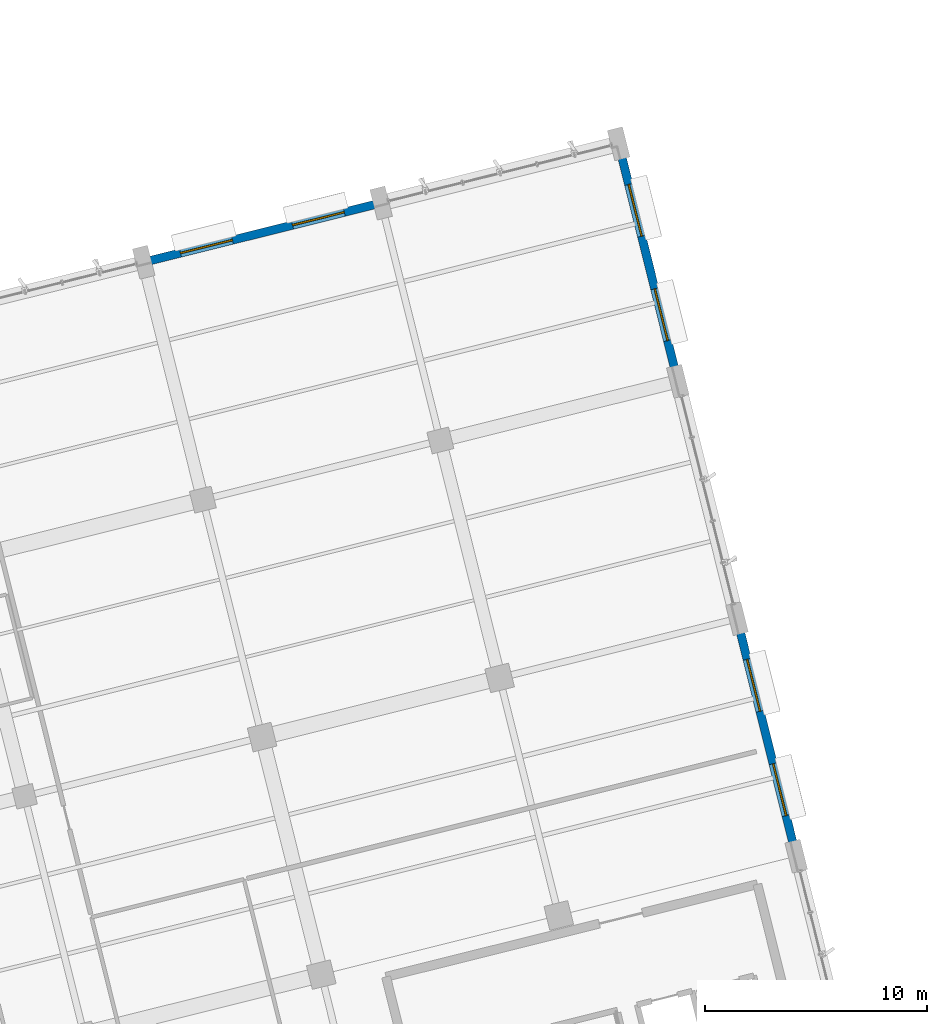
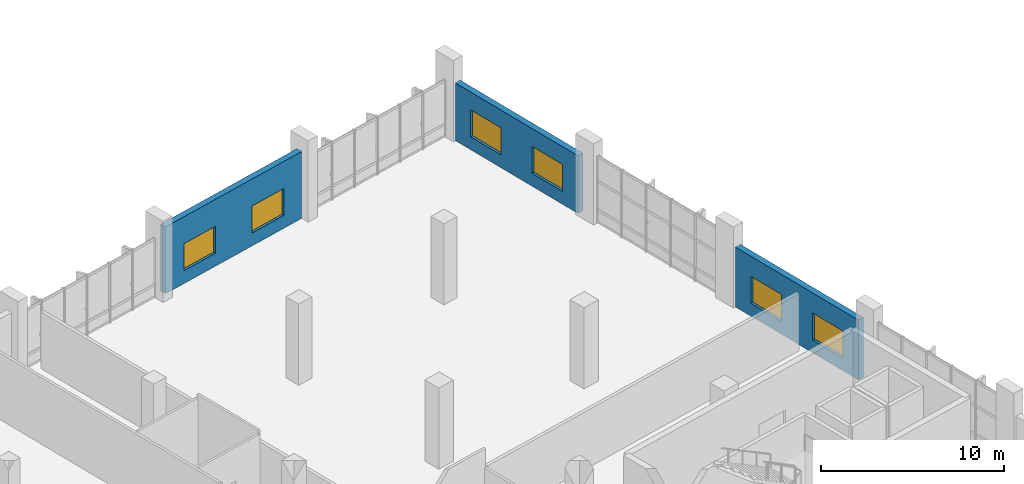
# One storey, part 148 of 176: 6 windows, 3 walls, 6 openings.
"""IFC4 building model written with IfcOpenShell, lengths in metres."""

import ifcopenshell
import ifcopenshell.guid

model = None  # the IFC model being written
_history = None  # IfcOwnerHistory: only IFC2X3 demands one
_inside = {}  # id of a spatial element -> (the spatial element, [elements in it])
_under = {}  # id of a project, library or spatial element -> (it, [spatial elements below it])
_declared = {}  # id of a project -> (the project, [libraries it declares])
_typed = {}  # id of a type object -> (the type object, [elements of that type])
_made_of = {}  # id of a material, layer set ... -> (it, [elements and type objects made of it])


def new_model(schema):
    """Start an empty IFC model of exactly this schema.

    Asked for "IFC4X3", IfcOpenShell would pick the latest addendum, in which some entities
    have other attributes; the version numbers below select the first issue.
    IFC2X3 requires an IfcOwnerHistory on every rooted entity: one is made here for all.
    """
    global model, _history
    if schema == "IFC4X3":
        model = ifcopenshell.file(schema_version=(4, 3, 0, 0))
    else:
        model = ifcopenshell.file(schema=schema)
    _inside.clear()
    _under.clear()
    _declared.clear()
    _typed.clear()
    _made_of.clear()
    _history = None
    if model.schema == "IFC2X3":
        org = make("IfcOrganization", Name="unknown")
        user = make(
            "IfcPersonAndOrganization",
            ThePerson=make("IfcPerson", FamilyName="unknown"),
            TheOrganization=org,
        )
        app = make(
            "IfcApplication",
            ApplicationDeveloper=org,
            Version="unknown",
            ApplicationFullName="unknown",
            ApplicationIdentifier="unknown",
        )
        _history = make(
            "IfcOwnerHistory",
            OwningUser=user,
            OwningApplication=app,
            ChangeAction="ADDED",
            CreationDate=0,
        )
    return model


def make(cls, **values):
    """One entity of the class cls with the attributes given. An attribute that is None is left unset."""
    return model.create_entity(
        cls, **{name: value for name, value in values.items() if value is not None}
    )


def rooted(cls, **values):
    """An entity with a GlobalId (a new one), such as an element, a storey or a relation."""
    return make(cls, GlobalId=ifcopenshell.guid.new(), OwnerHistory=_history, **values)


def si_unit(unit_type, name, prefix=None):
    """IfcSIUnit, for example si_unit("LENGTHUNIT", "METRE", prefix="MILLI")."""
    return make("IfcSIUnit", UnitType=unit_type, Prefix=prefix, Name=name)


def assignment(units):
    """IfcUnitAssignment: the units of a project."""
    return None if units is None else make("IfcUnitAssignment", Units=units)


def point(xyz):
    """IfcCartesianPoint."""
    return None if xyz is None else make("IfcCartesianPoint", Coordinates=xyz)


def direction(xyz):
    """IfcDirection."""
    return None if xyz is None else make("IfcDirection", DirectionRatios=xyz)


def frame(location, z_axis=None, x_axis=None):
    """IfcAxis2Placement3D, a coordinate frame: its origin and axes. An axis left out is left unset."""
    return make(
        "IfcAxis2Placement3D",
        Location=point(location),
        Axis=direction(z_axis),
        RefDirection=direction(x_axis),
    )


def frame_2d(location, x_axis=None):
    """IfcAxis2Placement2D, a coordinate frame in the plane: its origin and x axis."""
    return make(
        "IfcAxis2Placement2D", Location=point(location), RefDirection=direction(x_axis)
    )


def origin():
    """The frame at (0, 0, 0) with its axes left unset."""
    return frame((0.0, 0.0, 0.0))


def place(relative_to, where):
    """IfcLocalPlacement: puts the frame where relative to a parent placement (None: the world)."""
    return make(
        "IfcLocalPlacement", PlacementRelTo=relative_to, RelativePlacement=where
    )


def context(
    kind, dimensions, precision=None, world=None, true_north=None, identifier=None
):
    """IfcGeometricRepresentationContext, for example the 3D "Model" context."""
    return make(
        "IfcGeometricRepresentationContext",
        ContextIdentifier=identifier,
        ContextType=kind,
        CoordinateSpaceDimension=dimensions,
        Precision=precision,
        WorldCoordinateSystem=world,
        TrueNorth=true_north,
    )


def subcontext(parent, identifier, kind, view, scale=None):
    """IfcGeometricRepresentationSubContext, for example "Body" below "Model"."""
    return make(
        "IfcGeometricRepresentationSubContext",
        ContextIdentifier=identifier,
        ContextType=kind,
        ParentContext=parent,
        TargetScale=scale,
        TargetView=view,
    )


def project(units=None, contexts=None):
    """IfcProject with its units and contexts."""
    return rooted(
        "IfcProject",
        Name="project",
        RepresentationContexts=contexts,
        UnitsInContext=assignment(units),
    )


def spatial(cls, under=None, at=None, **own):
    """A site, building, storey or space (cls), placed at a placement, below another one or the project."""
    s = rooted(cls, ObjectPlacement=at, **own)
    if under is not None:
        _under.setdefault(under.id(), (under, []))[1].append(s)
    return s


def profile(cls, at=None, kind="AREA", **sizes):
    """A parametric profile (cls). Its sizes go by their IFC names, for example OverallWidth=200.0."""
    return make(cls, ProfileType=kind, Position=at, **sizes)


def rectangle(**sizes):
    """IfcRectangleProfileDef."""
    return profile("IfcRectangleProfileDef", **sizes)


def extrude(swept, where, along, depth):
    """IfcExtrudedAreaSolid: the profile swept, set in the frame where, extruded along a direction by depth."""
    return make(
        "IfcExtrudedAreaSolid",
        SweptArea=swept,
        Position=where,
        ExtrudedDirection=direction(along),
        Depth=depth,
    )


def shape(context_of_items, identifier, shape_type, items):
    """IfcShapeRepresentation: the items that make up one representation, for example the "Body"."""
    return make(
        "IfcShapeRepresentation",
        ContextOfItems=context_of_items,
        RepresentationIdentifier=identifier,
        RepresentationType=shape_type,
        Items=items,
    )


def material(Name=None, Category=None):
    """IfcMaterial."""
    return make("IfcMaterial", Name=Name, Category=Category)


def layer(
    of_material, thickness, ventilated=None, Name=None, Category=None, Priority=None
):
    """IfcMaterialLayer: one layer of a wall or slab, of a material (None: an air gap)."""
    return make(
        "IfcMaterialLayer",
        Material=of_material,
        LayerThickness=thickness,
        IsVentilated=ventilated,
        Name=Name,
        Category=Category,
        Priority=Priority,
    )


def layer_set(layers, Name=None):
    """IfcMaterialLayerSet."""
    return make("IfcMaterialLayerSet", MaterialLayers=layers, LayerSetName=Name)


def made_of(thing, what):
    """Note that an element or type object is made of a material, layer set ...; save() writes the relation."""
    if what is not None:
        _made_of.setdefault(what.id(), (what, []))[1].append(thing)
    return thing


def type_object(cls, material=None, **own):
    """A type object (cls), such as IfcWallType, which elements share."""
    return made_of(rooted(cls, **own), material)


def element(
    cls,
    number,
    at=None,
    inside=None,
    cuts=None,
    type_object=None,
    material=None,
    context=None,
    identifier="Body",
    shape_type=None,
    held_by="IfcProductDefinitionShape",
    body=None,
    shapes=None,
    **own,
):
    """One element of the class cls, such as IfcWall. Its Tag is "e" and its number.

    at: its placement. inside: the storey or other place that contains it. cuts: it is an
    opening in that element (IfcRelVoidsElement). A single representation is given by context,
    identifier, shape_type and body (its items); several are given by shapes. held_by: the class
    of the entity that holds the representations. save() writes the other relations.
    """
    e = rooted(cls, Tag="e%d" % number, ObjectPlacement=at, **own)
    if body is not None:
        shapes = [shape(context, identifier, shape_type, body)]
    if shapes is not None:
        e.Representation = make(held_by, Representations=shapes)
    if inside is not None:
        _inside.setdefault(inside.id(), (inside, []))[1].append(e)
    if cuts is not None:
        rooted(
            "IfcRelVoidsElement", RelatingBuildingElement=cuts, RelatedOpeningElement=e
        )
    if type_object is not None:
        _typed.setdefault(type_object.id(), (type_object, []))[1].append(e)
    return made_of(e, material)


def fill(opening, filler):
    """IfcRelFillsElement: the door or window that sits in an opening."""
    return rooted(
        "IfcRelFillsElement",
        RelatingOpeningElement=opening,
        RelatedBuildingElement=filler,
    )


def aggregate(whole, parts):
    """IfcRelAggregates: a whole, such as a stair, and the parts it consists of."""
    return rooted("IfcRelAggregates", RelatingObject=whole, RelatedObjects=parts)


def save(model, path):
    """Write the relations noted so far, then the file.

    IfcRelAggregates (storeys below a building ...), IfcRelContainedInSpatialStructure (elements
    in a storey), IfcRelDefinesByType, IfcRelAssociatesMaterial and IfcRelDeclares: one each for
    every whole, place, type object, material and project.
    """
    for whole, parts in _under.values():
        aggregate(whole, parts)
    for where, things in _inside.values():
        rooted(
            "IfcRelContainedInSpatialStructure",
            RelatedElements=things,
            RelatingStructure=where,
        )
    for kind, things in _typed.values():
        rooted("IfcRelDefinesByType", RelatedObjects=things, RelatingType=kind)
    for what, things in _made_of.values():
        rooted("IfcRelAssociatesMaterial", RelatedObjects=things, RelatingMaterial=what)
    for by, libraries in _declared.values():
        rooted("IfcRelDeclares", RelatingContext=by, RelatedDefinitions=libraries)
    model.write(path)


model = new_model("IFC4")

# Units and contexts
model_context = context("Model", 3, precision=1e-05, world=origin(), true_north=direction((0.0, 1.0)))
body_context = subcontext(model_context, "Body", "Model", "MODEL_VIEW")
ifc_project = project(units=[si_unit("LENGTHUNIT", "METRE"), si_unit("AREAUNIT", "SQUARE_METRE"), si_unit("VOLUMEUNIT", "CUBIC_METRE"), si_unit("PLANEANGLEUNIT", "RADIAN"), si_unit("MASSUNIT", "GRAM", prefix="KILO")], contexts=[model_context])

# Site, building, storey
site_placement = place(None, origin())
site = spatial("IfcSite", under=ifc_project, at=site_placement, CompositionType="ELEMENT")
building_placement = place(site_placement, origin())
building = spatial("IfcBuilding", under=site, at=building_placement, Name="Khorjan Park Terminus", CompositionType="ELEMENT")
storey_placement = place(building_placement, frame((0.0, 0.0, 6.0)))
storey = spatial("IfcBuildingStorey", under=building, at=storey_placement, Name="L01", CompositionType="ELEMENT", Elevation=6.0)

# Wall, openings, windows
ifc_material_1 = material(Name="Pigmented Precast GRC & Concrete C40/50", Category="concrete")
ifc_layer = layer(ifc_material_1, 0.38)
ifc_layer_set = layer_set([ifc_layer], Name="Pigmented Precast GRC & Concrete C40/50")
wall_type = type_object("IfcWallType", Name="EW-38", PredefinedType="STANDARD", material=ifc_layer_set)
wall_1_placement = place(storey_placement, frame((221.8951, 50.6322, 0.0), z_axis=(0.0, 0.0, 1.0), x_axis=(-0.241910213289, 0.970298638929, 0.0)))
wall_1 = element("IfcWall", 1, at=wall_1_placement, inside=storey, type_object=wall_type, Name="External pigmented-GRC insulated wall EW-38 (EW-V5-E-L01-B04)", PredefinedType="STANDARD", context=body_context, shape_type="SweptSolid", body=[
    extrude(rectangle(XDim=9.6697, YDim=0.38, at=frame_2d((4.8349, 0.0))), origin(), (0.0, 0.0, 1.0), 3.985),
])
opening_1_placement = place(wall_1_placement, frame((1.2174, 0.0, 0.85)))
opening_1 = element("IfcOpeningElement", 2, at=opening_1_placement, cuts=wall_1, Name="Opening WN-24", PredefinedType="OPENING", context=body_context, shape_type="SweptSolid", body=[
    extrude(rectangle(XDim=2.4, YDim=1.8, at=frame_2d((1.2, 0.9))), frame((0.0, 0.2, 0.0), z_axis=(0.0, -1.0, 0.0), x_axis=(1.0, 0.0, 0.0)), (0.0, 0.0, 1.0), 0.4),
])
opening_2_placement = place(wall_1_placement, frame((6.0523, 0.0, 0.85)))
opening_2 = element("IfcOpeningElement", 3, at=opening_2_placement, cuts=wall_1, Name="Opening WN-24", PredefinedType="OPENING", context=body_context, shape_type="SweptSolid", body=[
    extrude(rectangle(XDim=2.4, YDim=1.8, at=frame_2d((1.2, 0.9))), frame((0.0, 0.2, 0.0), z_axis=(0.0, -1.0, 0.0), x_axis=(1.0, 0.0, 0.0)), (0.0, 0.0, 1.0), 0.4),
])
ifc_material_2 = material(Name="Anodized Bronze Aluminium & Low-E Glass", Category="aluminium")
window_type = type_object("IfcWindowType", Name="WN-24", PartitioningType="SINGLE_PANEL", PredefinedType="WINDOW", material=ifc_material_2)
window_1_placement = place(opening_1_placement, origin())
window_1 = element("IfcWindow", 4, at=window_1_placement, inside=storey, type_object=window_type, Name="Solar-control exterior window WN-24 (WN-EW-V5-E-L01-B04-1)", OverallHeight=1.8, OverallWidth=2.4, PartitioningType="SINGLE_PANEL", PredefinedType="WINDOW", context=body_context, shape_type="SweptSolid", body=[
    extrude(rectangle(XDim=2.4, YDim=1.8, at=frame_2d((1.2, 0.9))), frame((0.0, 0.03, 0.0), z_axis=(0.0, -1.0, 0.0), x_axis=(1.0, 0.0, 0.0)), (0.0, 0.0, 1.0), 0.06),
])
fill(opening_1, window_1)
window_2_placement = place(opening_2_placement, origin())
window_2 = element("IfcWindow", 5, at=window_2_placement, inside=storey, type_object=window_type, Name="Solar-control exterior window WN-24 (WN-EW-V5-E-L01-B04-2)", OverallHeight=1.8, OverallWidth=2.4, PartitioningType="SINGLE_PANEL", PredefinedType="WINDOW", context=body_context, shape_type="SweptSolid", body=[
    extrude(rectangle(XDim=2.4, YDim=1.8, at=frame_2d((1.2, 0.9))), frame((0.0, 0.03, 0.0), z_axis=(0.0, -1.0, 0.0), x_axis=(1.0, 0.0, 0.0)), (0.0, 0.0, 1.0), 0.06),
])
fill(opening_2, window_2)

wall_2_placement = place(storey_placement, frame((216.573, 71.9782, 0.0), z_axis=(0.0, 0.0, 1.0), x_axis=(-0.241919949636, 0.970296211457, 0.0)))
wall_2 = element("IfcWall", 6, at=wall_2_placement, inside=storey, type_object=wall_type, Name="External pigmented-GRC insulated wall EW-38 (EW-V5-E-L01-B06)", PredefinedType="STANDARD", context=body_context, shape_type="SweptSolid", body=[
    extrude(rectangle(XDim=9.6697, YDim=0.38, at=frame_2d((4.8349, 0.0))), origin(), (0.0, 0.0, 1.0), 3.835),
])
opening_3_placement = place(wall_2_placement, frame((1.2174, 0.0, 0.85)))
opening_3 = element("IfcOpeningElement", 7, at=opening_3_placement, cuts=wall_2, Name="Opening WN-24", PredefinedType="OPENING", context=body_context, shape_type="SweptSolid", body=[
    extrude(rectangle(XDim=2.4, YDim=1.8, at=frame_2d((1.2, 0.9))), frame((0.0, 0.2, 0.0), z_axis=(0.0, -1.0, 0.0), x_axis=(1.0, 0.0, 0.0)), (0.0, 0.0, 1.0), 0.4),
])
opening_4_placement = place(wall_2_placement, frame((6.0523, 0.0, 0.85)))
opening_4 = element("IfcOpeningElement", 8, at=opening_4_placement, cuts=wall_2, Name="Opening WN-24", PredefinedType="OPENING", context=body_context, shape_type="SweptSolid", body=[
    extrude(rectangle(XDim=2.4, YDim=1.8, at=frame_2d((1.2, 0.9))), frame((0.0, 0.2, 0.0), z_axis=(0.0, -1.0, 0.0), x_axis=(1.0, 0.0, 0.0)), (0.0, 0.0, 1.0), 0.4),
])
window_3_placement = place(opening_3_placement, origin())
window_3 = element("IfcWindow", 9, at=window_3_placement, inside=storey, type_object=window_type, Name="Solar-control exterior window WN-24 (WN-EW-V5-E-L01-B06-1)", OverallHeight=1.8, OverallWidth=2.4, PartitioningType="SINGLE_PANEL", PredefinedType="WINDOW", context=body_context, shape_type="SweptSolid", body=[
    extrude(rectangle(XDim=2.4, YDim=1.8, at=frame_2d((1.2, 0.9))), frame((0.0, 0.03, 0.0), z_axis=(0.0, -1.0, 0.0), x_axis=(1.0, 0.0, 0.0)), (0.0, 0.0, 1.0), 0.06),
])
fill(opening_3, window_3)
window_4_placement = place(opening_4_placement, origin())
window_4 = element("IfcWindow", 10, at=window_4_placement, inside=storey, type_object=window_type, Name="Solar-control exterior window WN-24 (WN-EW-V5-E-L01-B06-2)", OverallHeight=1.8, OverallWidth=2.4, PartitioningType="SINGLE_PANEL", PredefinedType="WINDOW", context=body_context, shape_type="SweptSolid", body=[
    extrude(rectangle(XDim=2.4, YDim=1.8, at=frame_2d((1.2, 0.9))), frame((0.0, 0.03, 0.0), z_axis=(0.0, -1.0, 0.0), x_axis=(1.0, 0.0, 0.0)), (0.0, 0.0, 1.0), 0.06),
])
fill(opening_4, window_4)

wall_3_placement = place(storey_placement, frame((203.0933, 79.2689, 0.0), z_axis=(0.0, 0.0, 1.0), x_axis=(-0.970297165187, -0.241916124371, 0.0)))
wall_3 = element("IfcWall", 11, at=wall_3_placement, inside=storey, type_object=wall_type, Name="External pigmented-GRC insulated wall EW-38 (EW-V5-N-L01-B02)", PredefinedType="STANDARD", context=body_context, shape_type="SweptSolid", body=[
    extrude(rectangle(XDim=10.3697, YDim=0.38, at=frame_2d((5.1848, 0.0))), origin(), (0.0, 0.0, 1.0), 4.445),
])
opening_5_placement = place(wall_3_placement, frame((1.3924, 0.0, 0.85)))
opening_5 = element("IfcOpeningElement", 12, at=opening_5_placement, cuts=wall_3, Name="Opening WN-24", PredefinedType="OPENING", context=body_context, shape_type="SweptSolid", body=[
    extrude(rectangle(XDim=2.4, YDim=1.8, at=frame_2d((1.2, 0.9))), frame((0.0, 0.2, 0.0), z_axis=(0.0, -1.0, 0.0), x_axis=(1.0, 0.0, 0.0)), (0.0, 0.0, 1.0), 0.4),
])
opening_6_placement = place(wall_3_placement, frame((6.5773, 0.0, 0.85)))
opening_6 = element("IfcOpeningElement", 13, at=opening_6_placement, cuts=wall_3, Name="Opening WN-24", PredefinedType="OPENING", context=body_context, shape_type="SweptSolid", body=[
    extrude(rectangle(XDim=2.4, YDim=1.8, at=frame_2d((1.2, 0.9))), frame((0.0, 0.2, 0.0), z_axis=(0.0, -1.0, 0.0), x_axis=(1.0, 0.0, 0.0)), (0.0, 0.0, 1.0), 0.4),
])
window_5_placement = place(opening_5_placement, origin())
window_5 = element("IfcWindow", 14, at=window_5_placement, inside=storey, type_object=window_type, Name="Solar-control exterior window WN-24 (WN-EW-V5-N-L01-B02-1)", OverallHeight=1.8, OverallWidth=2.4, PartitioningType="SINGLE_PANEL", PredefinedType="WINDOW", context=body_context, shape_type="SweptSolid", body=[
    extrude(rectangle(XDim=2.4, YDim=1.8, at=frame_2d((1.2, 0.9))), frame((0.0, 0.03, 0.0), z_axis=(0.0, -1.0, 0.0), x_axis=(1.0, 0.0, 0.0)), (0.0, 0.0, 1.0), 0.06),
])
fill(opening_5, window_5)
window_6_placement = place(opening_6_placement, origin())
window_6 = element("IfcWindow", 15, at=window_6_placement, inside=storey, type_object=window_type, Name="Solar-control exterior window WN-24 (WN-EW-V5-N-L01-B02-2)", OverallHeight=1.8, OverallWidth=2.4, PartitioningType="SINGLE_PANEL", PredefinedType="WINDOW", context=body_context, shape_type="SweptSolid", body=[
    extrude(rectangle(XDim=2.4, YDim=1.8, at=frame_2d((1.2, 0.9))), frame((0.0, 0.03, 0.0), z_axis=(0.0, -1.0, 0.0), x_axis=(1.0, 0.0, 0.0)), (0.0, 0.0, 1.0), 0.06),
])
fill(opening_6, window_6)

save(model, "model.ifc")
